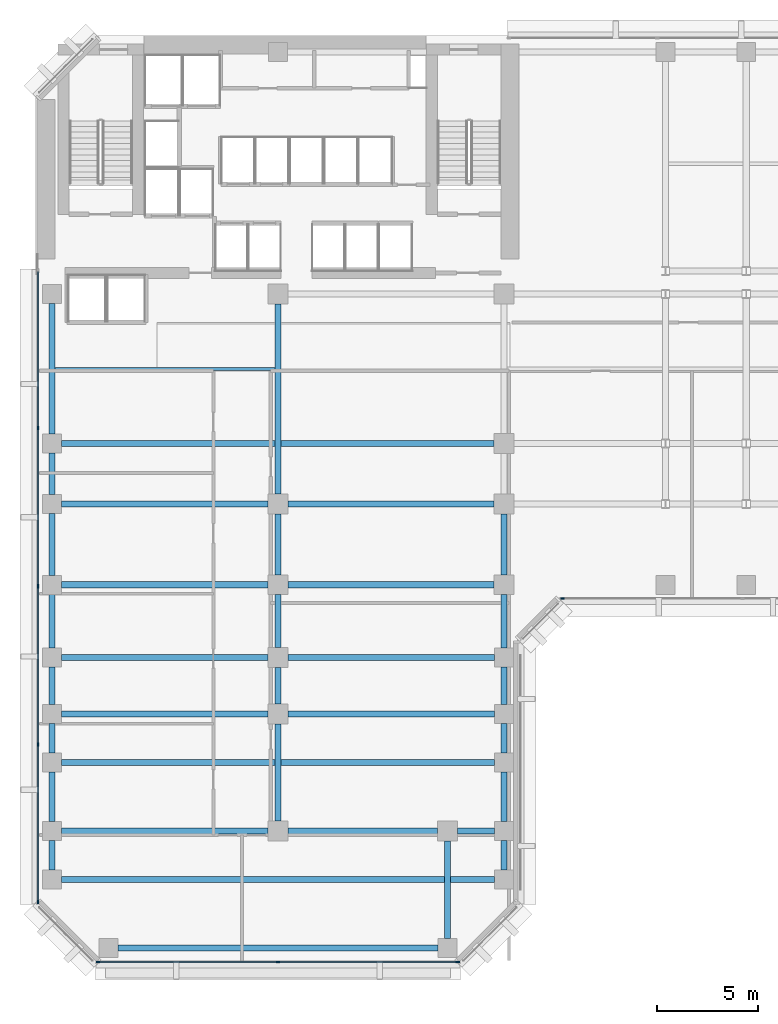
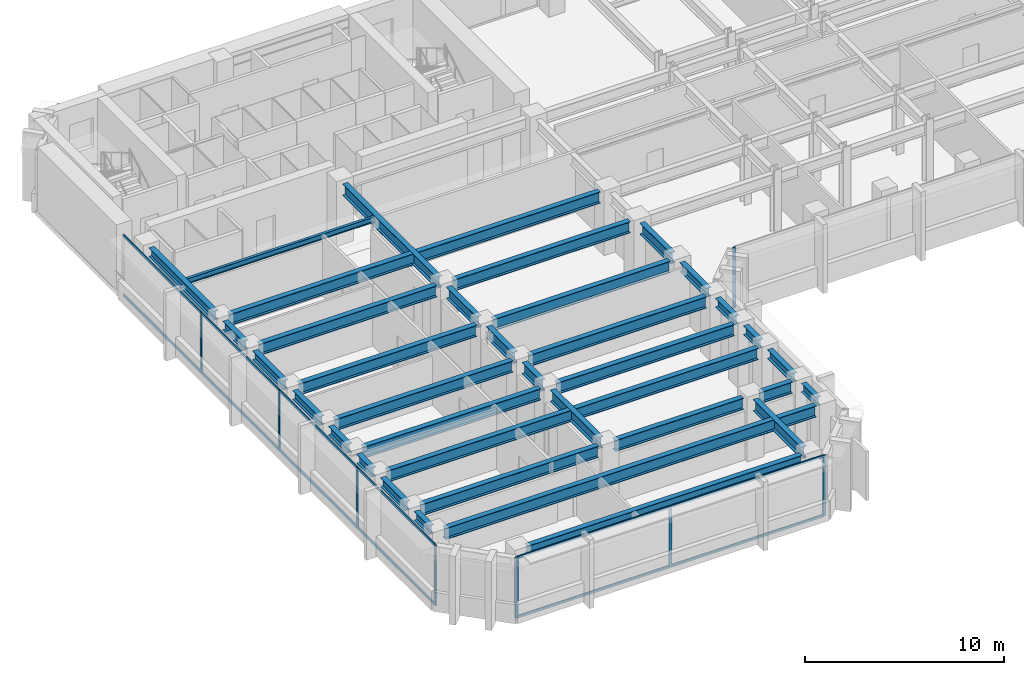
# One storey, part 2 of 13: 36 beams, 20 members, 3 elements without a shape of their own.
"""IFC4 building model written with IfcOpenShell, lengths in metres."""

from ifc_helpers import new_model, si_unit, direction, frame, origin, origin_2d, place, context, subcontext, project, spatial, rectangle, i_section, extrude, material, layer, layer_set, material_profile, profile_set, type_object, element, aggregate, save


model = new_model("IFC4")

# Units and contexts
model_context = context("Model", 3, precision=1e-05, world=origin(), true_north=direction((0.0, 1.0)))
body_context = subcontext(model_context, "Body", "Model", "MODEL_VIEW")
ifc_project = project(units=[si_unit("LENGTHUNIT", "METRE"), si_unit("AREAUNIT", "SQUARE_METRE"), si_unit("VOLUMEUNIT", "CUBIC_METRE"), si_unit("PLANEANGLEUNIT", "RADIAN"), si_unit("MASSUNIT", "GRAM", prefix="KILO")], contexts=[model_context])

# Site, building, storey
site_placement = place(None, origin())
site = spatial("IfcSite", under=ifc_project, at=site_placement, CompositionType="ELEMENT")
building_placement = place(site_placement, origin())
building = spatial("IfcBuilding", under=site, at=building_placement, Name="Kefirva Bronze Tower", CompositionType="ELEMENT")
storey_placement = place(building_placement, frame((0.0, 0.0, 106.590087890625)))
storey = spatial("IfcBuildingStorey", under=building, at=storey_placement, Name="L25", CompositionType="ELEMENT", Elevation=106.590087890625)

# Curtain wall, members
ifc_material_1 = material(Name="Bronze anodised aluminium", Category="aluminium")
ifc_layer = layer(ifc_material_1, 0.199951171875, Name="Bronze anodised aluminium")
ifc_layer_set = layer_set([ifc_layer], Name="Bronze anodised aluminium")
curtain_wall_type = type_object("IfcCurtainWallType", Name="Unitised Bronze Ribbon Curtain Wall Zone 1", PredefinedType="USERDEFINED", material=ifc_layer_set)
curtain_wall_1_placement = place(storey_placement, origin())
curtain_wall_1 = element("IfcCurtainWall", 1, at=curtain_wall_1_placement, inside=storey, type_object=curtain_wall_type, Name="L25 Curtain Wall 1", ObjectType="UNITISED CURTAIN WALL", PredefinedType="USERDEFINED")
ifc_material_profile_1 = material_profile(ifc_material_1, rectangle(XDim=0.074951171875, YDim=0.179931640625, at=origin_2d()), Name="ALU 75x180")
ifc_profile_set_1 = profile_set([ifc_material_profile_1], Name="Bronze anodised aluminium")
member_type_1 = type_object("IfcMemberType", Name="Bronze Mullion 75x180", PredefinedType="MULLION", material=ifc_profile_set_1)
member_1_placement = place(storey_placement, frame((3.092529296875, 0.1201171875, 0.0), z_axis=(0.0, 0.0, 1.0), x_axis=(0.0, 1.0, 0.0)))
member_1 = element("IfcMember", 2, at=member_1_placement, type_object=member_type_1, Name="CW-01 mullion 1", PredefinedType="MULLION", context=body_context, shape_type="SweptSolid", body=[
    extrude(rectangle(XDim=0.074951171875, YDim=0.179931640625, at=origin_2d()), origin(), (0.0, 0.0, 1.0), 3.7099609375),
])
member_2_placement = place(storey_placement, frame((12.0, 0.1201171875, 0.0), z_axis=(0.0, 0.0, 1.0), x_axis=(0.0, 1.0, 0.0)))
member_2 = element("IfcMember", 3, at=member_2_placement, type_object=member_type_1, Name="CW-01 mullion 2", PredefinedType="MULLION", context=body_context, shape_type="SweptSolid", body=[
    extrude(rectangle(XDim=0.074951171875, YDim=0.179931640625, at=origin_2d()), origin(), (0.0, 0.0, 1.0), 3.7099609375),
])
member_3_placement = place(storey_placement, frame((20.907470703125, 0.1201171875, 0.0), z_axis=(0.0, 0.0, 1.0), x_axis=(0.0, 1.0, 0.0)))
member_3 = element("IfcMember", 4, at=member_3_placement, type_object=member_type_1, Name="CW-01 mullion 3", PredefinedType="MULLION", context=body_context, shape_type="SweptSolid", body=[
    extrude(rectangle(XDim=0.074951171875, YDim=0.179931640625, at=origin_2d()), origin(), (0.0, 0.0, 1.0), 3.7099609375),
])

# Curtain wall, member
curtain_wall_2_placement = place(storey_placement, origin())
curtain_wall_2 = element("IfcCurtainWall", 5, at=curtain_wall_2_placement, inside=storey, type_object=curtain_wall_type, Name="L25 Curtain Wall 2", ObjectType="UNITISED CURTAIN WALL", PredefinedType="USERDEFINED")
member_4_placement = place(storey_placement, frame((26.092529296875, 18.1201171875, 0.0), z_axis=(0.0, 0.0, 1.0), x_axis=(0.0, 1.0, 0.0)))
member_4 = element("IfcMember", 6, at=member_4_placement, type_object=member_type_1, Name="CW-01 mullion 1", PredefinedType="MULLION", context=body_context, shape_type="SweptSolid", body=[
    extrude(rectangle(XDim=0.074951171875, YDim=0.179931640625, at=origin_2d()), origin(), (0.0, 0.0, 1.0), 3.7099609375),
])
aggregate(curtain_wall_2, [member_4])

# Curtain wall, members
curtain_wall_3_placement = place(storey_placement, origin())
curtain_wall_3 = element("IfcCurtainWall", 7, at=curtain_wall_3_placement, inside=storey, type_object=curtain_wall_type, Name="L25 Curtain Wall 5", ObjectType="UNITISED CURTAIN WALL", PredefinedType="USERDEFINED")
member_5_placement = place(storey_placement, frame((0.1201171875, 26.56005859375, 0.0), z_axis=(0.0, 0.0, 1.0), x_axis=(1.0, 0.0, 0.0)))
member_5 = element("IfcMember", 8, at=member_5_placement, type_object=member_type_1, Name="CW-01 mullion 2", PredefinedType="MULLION", context=body_context, shape_type="SweptSolid", body=[
    extrude(rectangle(XDim=0.074951171875, YDim=0.179931640625, at=origin_2d()), origin(), (0.0, 0.0, 1.0), 3.7099609375),
])
member_6_placement = place(storey_placement, frame((0.1201171875, 18.72509765625, 0.0), z_axis=(0.0, 0.0, 1.0), x_axis=(1.0, 0.0, 0.0)))
member_6 = element("IfcMember", 9, at=member_6_placement, type_object=member_type_1, Name="CW-01 mullion 3", PredefinedType="MULLION", context=body_context, shape_type="SweptSolid", body=[
    extrude(rectangle(XDim=0.074951171875, YDim=0.179931640625, at=origin_2d()), origin(), (0.0, 0.0, 1.0), 3.7099609375),
])
member_7_placement = place(storey_placement, frame((0.1201171875, 10.889892578125, 0.0), z_axis=(0.0, 0.0, 1.0), x_axis=(1.0, 0.0, 0.0)))
member_7 = element("IfcMember", 10, at=member_7_placement, type_object=member_type_1, Name="CW-01 mullion 4", PredefinedType="MULLION", context=body_context, shape_type="SweptSolid", body=[
    extrude(rectangle(XDim=0.074951171875, YDim=0.179931640625, at=origin_2d()), origin(), (0.0, 0.0, 1.0), 3.7099609375),
])
member_8_placement = place(storey_placement, frame((0.1201171875, 3.092529296875, 0.0), z_axis=(0.0, 0.0, 1.0), x_axis=(1.0, 0.0, 0.0)))
member_8 = element("IfcMember", 11, at=member_8_placement, type_object=member_type_1, Name="CW-01 mullion 5", PredefinedType="MULLION", context=body_context, shape_type="SweptSolid", body=[
    extrude(rectangle(XDim=0.074951171875, YDim=0.179931640625, at=origin_2d()), origin(), (0.0, 0.0, 1.0), 3.7099609375),
])

# Member
ifc_material_profile_2 = material_profile(ifc_material_1, rectangle(XDim=0.074951171875, YDim=0.14990234375, at=origin_2d()), Name="ALU 75x150")
ifc_profile_set_2 = profile_set([ifc_material_profile_2], Name="Bronze anodised aluminium")
member_type_2 = type_object("IfcMemberType", Name="Bronze Transom 75x150", PredefinedType="USERDEFINED", material=ifc_profile_set_2)
member_9_placement = place(storey_placement, frame((3.1298828125, 0.1201171875, 0.037353515625), z_axis=(1.0, 0.0, 0.0), x_axis=(0.0, 1.0, 0.0)))
member_9 = element("IfcMember", 12, at=member_9_placement, type_object=member_type_2, Name="CW-01 transom 1.1", ObjectType="TRANSOM", PredefinedType="USERDEFINED", context=body_context, shape_type="SweptSolid", body=[
    extrude(rectangle(XDim=0.074951171875, YDim=0.14990234375, at=origin_2d()), origin(), (0.0, 0.0, 1.0), 8.83251953125),
])

member_10_placement = place(storey_placement, frame((3.1298828125, 0.1201171875, 3.67236328125), z_axis=(1.0, 0.0, 0.0), x_axis=(0.0, 1.0, 0.0)))
member_10 = element("IfcMember", 13, at=member_10_placement, type_object=member_type_2, Name="CW-01 transom 1.2", ObjectType="TRANSOM", PredefinedType="USERDEFINED", context=body_context, shape_type="SweptSolid", body=[
    extrude(rectangle(XDim=0.074951171875, YDim=0.14990234375, at=origin_2d()), origin(), (0.0, 0.0, 1.0), 8.83251953125),
])

member_11_placement = place(storey_placement, frame((12.03759765625, 0.1201171875, 0.037353515625), z_axis=(1.0, 0.0, 0.0), x_axis=(0.0, 1.0, 0.0)))
member_11 = element("IfcMember", 14, at=member_11_placement, type_object=member_type_2, Name="CW-01 transom 2.1", ObjectType="TRANSOM", PredefinedType="USERDEFINED", context=body_context, shape_type="SweptSolid", body=[
    extrude(rectangle(XDim=0.074951171875, YDim=0.14990234375, at=origin_2d()), origin(), (0.0, 0.0, 1.0), 8.83251953125),
])

member_12_placement = place(storey_placement, frame((12.03759765625, 0.1201171875, 3.67236328125), z_axis=(1.0, 0.0, 0.0), x_axis=(0.0, 1.0, 0.0)))
member_12 = element("IfcMember", 15, at=member_12_placement, type_object=member_type_2, Name="CW-01 transom 2.2", ObjectType="TRANSOM", PredefinedType="USERDEFINED", context=body_context, shape_type="SweptSolid", body=[
    extrude(rectangle(XDim=0.074951171875, YDim=0.14990234375, at=origin_2d()), origin(), (0.0, 0.0, 1.0), 8.83251953125),
])

aggregate(curtain_wall_1, [member_1, member_2, member_3, member_9, member_10, member_11, member_12])

member_13_placement = place(storey_placement, frame((0.1201171875, 34.320068359375, 0.037353515625), z_axis=(0.0, -1.0, 0.0), x_axis=(1.0, 0.0, 0.0)))
member_13 = element("IfcMember", 16, at=member_13_placement, type_object=member_type_2, Name="CW-01 transom 1.1", ObjectType="TRANSOM", PredefinedType="USERDEFINED", context=body_context, shape_type="SweptSolid", body=[
    extrude(rectangle(XDim=0.074951171875, YDim=0.14990234375, at=origin_2d()), origin(), (0.0, 0.0, 1.0), 7.72265625),
])

member_14_placement = place(storey_placement, frame((0.1201171875, 34.320068359375, 3.67236328125), z_axis=(0.0, -1.0, 0.0), x_axis=(1.0, 0.0, 0.0)))
member_14 = element("IfcMember", 17, at=member_14_placement, type_object=member_type_2, Name="CW-01 transom 1.2", ObjectType="TRANSOM", PredefinedType="USERDEFINED", context=body_context, shape_type="SweptSolid", body=[
    extrude(rectangle(XDim=0.074951171875, YDim=0.14990234375, at=origin_2d()), origin(), (0.0, 0.0, 1.0), 7.72265625),
])

member_15_placement = place(storey_placement, frame((0.1201171875, 26.5224609375, 0.037353515625), z_axis=(0.0, -1.0, 0.0), x_axis=(1.0, 0.0, 0.0)))
member_15 = element("IfcMember", 18, at=member_15_placement, type_object=member_type_2, Name="CW-01 transom 2.1", ObjectType="TRANSOM", PredefinedType="USERDEFINED", context=body_context, shape_type="SweptSolid", body=[
    extrude(rectangle(XDim=0.074951171875, YDim=0.14990234375, at=origin_2d()), origin(), (0.0, 0.0, 1.0), 7.760009765625),
])

member_16_placement = place(storey_placement, frame((0.1201171875, 26.5224609375, 3.67236328125), z_axis=(0.0, -1.0, 0.0), x_axis=(1.0, 0.0, 0.0)))
member_16 = element("IfcMember", 19, at=member_16_placement, type_object=member_type_2, Name="CW-01 transom 2.2", ObjectType="TRANSOM", PredefinedType="USERDEFINED", context=body_context, shape_type="SweptSolid", body=[
    extrude(rectangle(XDim=0.074951171875, YDim=0.14990234375, at=origin_2d()), origin(), (0.0, 0.0, 1.0), 7.760009765625),
])

member_17_placement = place(storey_placement, frame((0.1201171875, 18.6875, 0.037353515625), z_axis=(0.0, -1.0, 0.0), x_axis=(1.0, 0.0, 0.0)))
member_17 = element("IfcMember", 20, at=member_17_placement, type_object=member_type_2, Name="CW-01 transom 3.1", ObjectType="TRANSOM", PredefinedType="USERDEFINED", context=body_context, shape_type="SweptSolid", body=[
    extrude(rectangle(XDim=0.074951171875, YDim=0.14990234375, at=origin_2d()), origin(), (0.0, 0.0, 1.0), 7.760009765625),
])

member_18_placement = place(storey_placement, frame((0.1201171875, 18.6875, 3.67236328125), z_axis=(0.0, -1.0, 0.0), x_axis=(1.0, 0.0, 0.0)))
member_18 = element("IfcMember", 21, at=member_18_placement, type_object=member_type_2, Name="CW-01 transom 3.2", ObjectType="TRANSOM", PredefinedType="USERDEFINED", context=body_context, shape_type="SweptSolid", body=[
    extrude(rectangle(XDim=0.074951171875, YDim=0.14990234375, at=origin_2d()), origin(), (0.0, 0.0, 1.0), 7.760009765625),
])

member_19_placement = place(storey_placement, frame((0.1201171875, 10.8525390625, 0.037353515625), z_axis=(0.0, -1.0, 0.0), x_axis=(1.0, 0.0, 0.0)))
member_19 = element("IfcMember", 22, at=member_19_placement, type_object=member_type_2, Name="CW-01 transom 4.1", ObjectType="TRANSOM", PredefinedType="USERDEFINED", context=body_context, shape_type="SweptSolid", body=[
    extrude(rectangle(XDim=0.074951171875, YDim=0.14990234375, at=origin_2d()), origin(), (0.0, 0.0, 1.0), 7.72265625),
])

member_20_placement = place(storey_placement, frame((0.1201171875, 10.8525390625, 3.67236328125), z_axis=(0.0, -1.0, 0.0), x_axis=(1.0, 0.0, 0.0)))
member_20 = element("IfcMember", 23, at=member_20_placement, type_object=member_type_2, Name="CW-01 transom 4.2", ObjectType="TRANSOM", PredefinedType="USERDEFINED", context=body_context, shape_type="SweptSolid", body=[
    extrude(rectangle(XDim=0.074951171875, YDim=0.14990234375, at=origin_2d()), origin(), (0.0, 0.0, 1.0), 7.72265625),
])

aggregate(curtain_wall_3, [member_5, member_6, member_7, member_8, member_13, member_14, member_15, member_16, member_17, member_18, member_19, member_20])

# Beams
ifc_material_2 = material(Name="Steel S355", Category="steel")
ifc_material_profile_3 = material_profile(ifc_material_2, i_section(OverallWidth=0.159912109375, OverallDepth=0.330078125, WebThickness=0.007568359375, FlangeThickness=0.011474609375, at=origin_2d()), Name="IPE 330")
ifc_profile_set_3 = profile_set([ifc_material_profile_3], Name="Steel S355")
beam_type_1 = type_object("IfcBeamType", Name="Steel Floor Joist IPE 330", PredefinedType="JOIST", material=ifc_profile_set_3)
beam_1_placement = place(storey_placement, frame((0.949951171875, 29.489990234375, 3.544921875), z_axis=(1.0, 0.0, 0.0), x_axis=(0.0, 1.0, 0.0)))
element("IfcBeam", 24, at=beam_1_placement, inside=storey, type_object=beam_type_1, Name="L25 JST-L25-0-294", PredefinedType="JOIST", context=body_context, shape_type="SweptSolid", body=[
    extrude(i_section(OverallWidth=0.159912109375, OverallDepth=0.330078125, WebThickness=0.007568359375, FlangeThickness=0.011474609375, at=origin_2d()), origin(), (0.0, 0.0, 1.0), 10.900146484375),
])
ifc_material_profile_4 = material_profile(ifc_material_2, i_section(OverallWidth=0.300048828125, OverallDepth=0.699951171875, WebThickness=0.01708984375, FlangeThickness=0.031982421875, at=origin_2d()), Name="HEB 700")
ifc_profile_set_4 = profile_set([ifc_material_profile_4], Name="Steel S355")
beam_type_2 = type_object("IfcBeamType", Name="Steel Girder HEB 700", PredefinedType="USERDEFINED", material=ifc_profile_set_4)
beam_2_placement = place(storey_placement, frame((1.27001953125, 4.199951171875, 3.35986328125), z_axis=(1.0, 0.0, 0.0), x_axis=(0.0, 1.0, 0.0)))
element("IfcBeam", 25, at=beam_2_placement, inside=storey, type_object=beam_type_2, Name="L25 BM-L25-EW-0-42", ObjectType="GIRDER", PredefinedType="USERDEFINED", context=body_context, shape_type="SweptSolid", body=[
    extrude(i_section(OverallWidth=0.300048828125, OverallDepth=0.699951171875, WebThickness=0.01708984375, FlangeThickness=0.031982421875, at=origin_2d()), origin(), (0.0, 0.0, 1.0), 21.4599609375),
])
beam_3_placement = place(storey_placement, frame((1.27001953125, 6.60009765625, 3.35986328125), z_axis=(1.0, 0.0, 0.0), x_axis=(0.0, 1.0, 0.0)))
element("IfcBeam", 26, at=beam_3_placement, inside=storey, type_object=beam_type_2, Name="L25 BM-L25-EW-0-66", ObjectType="GIRDER", PredefinedType="USERDEFINED", context=body_context, shape_type="SweptSolid", body=[
    extrude(i_section(OverallWidth=0.300048828125, OverallDepth=0.699951171875, WebThickness=0.01708984375, FlangeThickness=0.031982421875, at=origin_2d()), origin(), (0.0, 0.0, 1.0), 10.239990234375),
])
beam_4_placement = place(storey_placement, frame((12.489990234375, 6.60009765625, 3.35986328125), z_axis=(1.0, 0.0, 0.0), x_axis=(0.0, 1.0, 0.0)))
element("IfcBeam", 27, at=beam_4_placement, inside=storey, type_object=beam_type_2, Name="L25 BM-L25-EW-12-66", ObjectType="GIRDER", PredefinedType="USERDEFINED", context=body_context, shape_type="SweptSolid", body=[
    extrude(i_section(OverallWidth=0.300048828125, OverallDepth=0.699951171875, WebThickness=0.01708984375, FlangeThickness=0.031982421875, at=origin_2d()), origin(), (0.0, 0.0, 1.0), 7.419921875),
])
beam_5_placement = place(storey_placement, frame((20.889892578125, 6.60009765625, 3.35986328125), z_axis=(1.0, 0.0, 0.0), x_axis=(0.0, 1.0, 0.0)))
element("IfcBeam", 28, at=beam_5_placement, inside=storey, type_object=beam_type_2, Name="L25 BM-L25-EW-20-66", ObjectType="GIRDER", PredefinedType="USERDEFINED", context=body_context, shape_type="SweptSolid", body=[
    extrude(i_section(OverallWidth=0.300048828125, OverallDepth=0.699951171875, WebThickness=0.01708984375, FlangeThickness=0.031982421875, at=origin_2d()), origin(), (0.0, 0.0, 1.0), 1.840087890625),
])
beam_6_placement = place(storey_placement, frame((1.27001953125, 10.0, 3.35986328125), z_axis=(1.0, 0.0, 0.0), x_axis=(0.0, 1.0, 0.0)))
element("IfcBeam", 29, at=beam_6_placement, inside=storey, type_object=beam_type_2, Name="L25 BM-L25-EW-0-100", ObjectType="GIRDER", PredefinedType="USERDEFINED", context=body_context, shape_type="SweptSolid", body=[
    extrude(i_section(OverallWidth=0.300048828125, OverallDepth=0.699951171875, WebThickness=0.01708984375, FlangeThickness=0.031982421875, at=origin_2d()), origin(), (0.0, 0.0, 1.0), 21.4599609375),
])
for number, where, z_axis, x_axis, name in (
    (30, (1.27001953125, 12.39990234375, 3.35986328125), (1.0, 0.0, 0.0), (0.0, 1.0, 0.0), "L25 BM-L25-EW-0-124"),
    (31, (12.489990234375, 12.39990234375, 3.35986328125), (1.0, 0.0, 0.0), (0.0, 1.0, 0.0), "L25 BM-L25-EW-12-124"),
    (32, (1.27001953125, 15.199951171875, 3.35986328125), (1.0, 0.0, 0.0), (0.0, 1.0, 0.0), "L25 BM-L25-EW-0-152"),
    (33, (12.489990234375, 15.199951171875, 3.35986328125), (1.0, 0.0, 0.0), (0.0, 1.0, 0.0), "L25 BM-L25-EW-12-152"),
    (34, (1.27001953125, 18.800048828125, 3.35986328125), (1.0, 0.0, 0.0), (0.0, 1.0, 0.0), "L25 BM-L25-EW-0-188"),
):
    element("IfcBeam", number, at=place(storey_placement, frame(where, z_axis=z_axis, x_axis=x_axis)), inside=storey, type_object=beam_type_2, Name=name, ObjectType="GIRDER", PredefinedType="USERDEFINED", context=body_context, shape_type="SweptSolid", body=[
        extrude(i_section(OverallWidth=0.300048828125, OverallDepth=0.699951171875, WebThickness=0.01708984375, FlangeThickness=0.031982421875, at=origin_2d()), origin(), (0.0, 0.0, 1.0), 10.239990234375),
    ])
beam_7_placement = place(storey_placement, frame((12.489990234375, 18.800048828125, 3.35986328125), z_axis=(1.0, 0.0, 0.0), x_axis=(0.0, 1.0, 0.0)))
element("IfcBeam", 35, at=beam_7_placement, inside=storey, type_object=beam_type_2, Name="L25 BM-L25-EW-12-188", ObjectType="GIRDER", PredefinedType="USERDEFINED", context=body_context, shape_type="SweptSolid", body=[
    extrude(i_section(OverallWidth=0.300048828125, OverallDepth=0.699951171875, WebThickness=0.01708984375, FlangeThickness=0.031982421875, at=origin_2d()), origin(), (0.0, 0.0, 1.0), 10.219970703125),
])
beam_8_placement = place(storey_placement, frame((1.27001953125, 22.800048828125, 3.35986328125), z_axis=(1.0, 0.0, 0.0), x_axis=(0.0, 1.0, 0.0)))
element("IfcBeam", 36, at=beam_8_placement, inside=storey, type_object=beam_type_2, Name="L25 BM-L25-EW-0-228", ObjectType="GIRDER", PredefinedType="USERDEFINED", context=body_context, shape_type="SweptSolid", body=[
    extrude(i_section(OverallWidth=0.300048828125, OverallDepth=0.699951171875, WebThickness=0.01708984375, FlangeThickness=0.031982421875, at=origin_2d()), origin(), (0.0, 0.0, 1.0), 10.239990234375),
])
beam_9_placement = place(storey_placement, frame((12.489990234375, 22.800048828125, 3.35986328125), z_axis=(1.0, 0.0, 0.0), x_axis=(0.0, 1.0, 0.0)))
element("IfcBeam", 37, at=beam_9_placement, inside=storey, type_object=beam_type_2, Name="L25 BM-L25-EW-12-228", ObjectType="GIRDER", PredefinedType="USERDEFINED", context=body_context, shape_type="SweptSolid", body=[
    extrude(i_section(OverallWidth=0.300048828125, OverallDepth=0.699951171875, WebThickness=0.01708984375, FlangeThickness=0.031982421875, at=origin_2d()), origin(), (0.0, 0.0, 1.0), 10.219970703125),
])
beam_10_placement = place(storey_placement, frame((1.27001953125, 25.800048828125, 3.35986328125), z_axis=(1.0, 0.0, 0.0), x_axis=(0.0, 1.0, 0.0)))
element("IfcBeam", 38, at=beam_10_placement, inside=storey, type_object=beam_type_2, Name="L25 BM-L25-EW-0-258", ObjectType="GIRDER", PredefinedType="USERDEFINED", context=body_context, shape_type="SweptSolid", body=[
    extrude(i_section(OverallWidth=0.300048828125, OverallDepth=0.699951171875, WebThickness=0.01708984375, FlangeThickness=0.031982421875, at=origin_2d()), origin(), (0.0, 0.0, 1.0), 21.43994140625),
])
beam_11_placement = place(storey_placement, frame((12.0, 7.090087890625, 3.35986328125), z_axis=(0.0, 1.0, 0.0), x_axis=(-1.0, 0.0, 0.0)))
element("IfcBeam", 39, at=beam_11_placement, inside=storey, type_object=beam_type_2, Name="L25 BM-L25-NS-120-6", ObjectType="GIRDER", PredefinedType="USERDEFINED", context=body_context, shape_type="SweptSolid", body=[
    extrude(i_section(OverallWidth=0.300048828125, OverallDepth=0.699951171875, WebThickness=0.01708984375, FlangeThickness=0.031982421875, at=origin_2d()), origin(), (0.0, 0.0, 1.0), 4.81982421875),
])
beam_12_placement = place(storey_placement, frame((12.0, 12.889892578125, 3.35986328125), z_axis=(0.0, 1.0, 0.0), x_axis=(-1.0, 0.0, 0.0)))
element("IfcBeam", 40, at=beam_12_placement, inside=storey, type_object=beam_type_2, Name="L25 BM-L25-NS-120-12", ObjectType="GIRDER", PredefinedType="USERDEFINED", context=body_context, shape_type="SweptSolid", body=[
    extrude(i_section(OverallWidth=0.300048828125, OverallDepth=0.699951171875, WebThickness=0.01708984375, FlangeThickness=0.031982421875, at=origin_2d()), origin(), (0.0, 0.0, 1.0), 1.820068359375),
])
beam_13_placement = place(storey_placement, frame((12.0, 15.68994140625, 3.35986328125), z_axis=(0.0, 1.0, 0.0), x_axis=(-1.0, 0.0, 0.0)))
element("IfcBeam", 41, at=beam_13_placement, inside=storey, type_object=beam_type_2, Name="L25 BM-L25-NS-120-15", ObjectType="GIRDER", PredefinedType="USERDEFINED", context=body_context, shape_type="SweptSolid", body=[
    extrude(i_section(OverallWidth=0.300048828125, OverallDepth=0.699951171875, WebThickness=0.01708984375, FlangeThickness=0.031982421875, at=origin_2d()), origin(), (0.0, 0.0, 1.0), 2.6201171875),
])
beam_14_placement = place(storey_placement, frame((12.0, 19.2900390625, 3.35986328125), z_axis=(0.0, 1.0, 0.0), x_axis=(-1.0, 0.0, 0.0)))
element("IfcBeam", 42, at=beam_14_placement, inside=storey, type_object=beam_type_2, Name="L25 BM-L25-NS-120-18", ObjectType="GIRDER", PredefinedType="USERDEFINED", context=body_context, shape_type="SweptSolid", body=[
    extrude(i_section(OverallWidth=0.300048828125, OverallDepth=0.699951171875, WebThickness=0.01708984375, FlangeThickness=0.031982421875, at=origin_2d()), origin(), (0.0, 0.0, 1.0), 3.02001953125),
])
beam_15_placement = place(storey_placement, frame((12.0, 23.2900390625, 3.35986328125), z_axis=(0.0, 1.0, 0.0), x_axis=(-1.0, 0.0, 0.0)))
element("IfcBeam", 43, at=beam_15_placement, inside=storey, type_object=beam_type_2, Name="L25 BM-L25-NS-120-22", ObjectType="GIRDER", PredefinedType="USERDEFINED", context=body_context, shape_type="SweptSolid", body=[
    extrude(i_section(OverallWidth=0.300048828125, OverallDepth=0.699951171875, WebThickness=0.01708984375, FlangeThickness=0.031982421875, at=origin_2d()), origin(), (0.0, 0.0, 1.0), 9.419921875),
])
beam_16_placement = place(storey_placement, frame((20.39990234375, 1.27001953125, 3.35986328125), z_axis=(0.0, 1.0, 0.0), x_axis=(-1.0, 0.0, 0.0)))
element("IfcBeam", 44, at=beam_16_placement, inside=storey, type_object=beam_type_2, Name="L25 BM-L25-NS-204-0", ObjectType="GIRDER", PredefinedType="USERDEFINED", context=body_context, shape_type="SweptSolid", body=[
    extrude(i_section(OverallWidth=0.300048828125, OverallDepth=0.699951171875, WebThickness=0.01708984375, FlangeThickness=0.031982421875, at=origin_2d()), origin(), (0.0, 0.0, 1.0), 4.840087890625),
])
beam_17_placement = place(storey_placement, frame((23.199951171875, 19.2900390625, 3.35986328125), z_axis=(0.0, 1.0, 0.0), x_axis=(-1.0, 0.0, 0.0)))
element("IfcBeam", 45, at=beam_17_placement, inside=storey, type_object=beam_type_2, Name="L25 BM-L25-NS-232-18", ObjectType="GIRDER", PredefinedType="USERDEFINED", context=body_context, shape_type="SweptSolid", body=[
    extrude(i_section(OverallWidth=0.300048828125, OverallDepth=0.699951171875, WebThickness=0.01708984375, FlangeThickness=0.031982421875, at=origin_2d()), origin(), (0.0, 0.0, 1.0), 3.02001953125),
])
ifc_material_profile_5 = material_profile(ifc_material_2, i_section(OverallWidth=0.300048828125, OverallDepth=0.550048828125, WebThickness=0.014892578125, FlangeThickness=0.029052734375, at=origin_2d()), Name="HEB 550")
ifc_profile_set_5 = profile_set([ifc_material_profile_5], Name="Steel S355")
beam_type_3 = type_object("IfcBeamType", Name="Steel Spandrel HEB 550 Ext", PredefinedType="SPANDREL", material=ifc_profile_set_5)
beam_18_placement = place(storey_placement, frame((4.070068359375, 0.800048828125, 3.434814453125), z_axis=(1.0, 0.0, 0.0), x_axis=(0.0, 1.0, 0.0)))
element("IfcBeam", 46, at=beam_18_placement, inside=storey, type_object=beam_type_3, Name="L25 BM-L25-EW-3-8", PredefinedType="SPANDREL", context=body_context, shape_type="SweptSolid", body=[
    extrude(i_section(OverallWidth=0.300048828125, OverallDepth=0.550048828125, WebThickness=0.014892578125, FlangeThickness=0.029052734375, at=origin_2d()), origin(), (0.0, 0.0, 1.0), 15.85986328125),
])
beam_19_placement = place(storey_placement, frame((0.800048828125, 4.669921875, 3.434814453125), z_axis=(0.0, 1.0, 0.0), x_axis=(-1.0, 0.0, 0.0)))
element("IfcBeam", 47, at=beam_19_placement, inside=storey, type_object=beam_type_3, Name="L25 BM-L25-NS-8-4", PredefinedType="SPANDREL", context=body_context, shape_type="SweptSolid", body=[
    extrude(i_section(OverallWidth=0.300048828125, OverallDepth=0.550048828125, WebThickness=0.014892578125, FlangeThickness=0.029052734375, at=origin_2d()), origin(), (0.0, 0.0, 1.0), 1.4599609375),
])
beam_20_placement = place(storey_placement, frame((0.800048828125, 7.070068359375, 3.434814453125), z_axis=(0.0, 1.0, 0.0), x_axis=(-1.0, 0.0, 0.0)))
element("IfcBeam", 48, at=beam_20_placement, inside=storey, type_object=beam_type_3, Name="L25 BM-L25-NS-8-6", PredefinedType="SPANDREL", context=body_context, shape_type="SweptSolid", body=[
    extrude(i_section(OverallWidth=0.300048828125, OverallDepth=0.550048828125, WebThickness=0.014892578125, FlangeThickness=0.029052734375, at=origin_2d()), origin(), (0.0, 0.0, 1.0), 2.4599609375),
])
beam_21_placement = place(storey_placement, frame((0.800048828125, 10.469970703125, 3.434814453125), z_axis=(0.0, 1.0, 0.0), x_axis=(-1.0, 0.0, 0.0)))
element("IfcBeam", 49, at=beam_21_placement, inside=storey, type_object=beam_type_3, Name="L25 BM-L25-NS-8-10", PredefinedType="SPANDREL", context=body_context, shape_type="SweptSolid", body=[
    extrude(i_section(OverallWidth=0.300048828125, OverallDepth=0.550048828125, WebThickness=0.014892578125, FlangeThickness=0.029052734375, at=origin_2d()), origin(), (0.0, 0.0, 1.0), 1.4599609375),
])
beam_22_placement = place(storey_placement, frame((0.800048828125, 12.8701171875, 3.434814453125), z_axis=(0.0, 1.0, 0.0), x_axis=(-1.0, 0.0, 0.0)))
element("IfcBeam", 50, at=beam_22_placement, inside=storey, type_object=beam_type_3, Name="L25 BM-L25-NS-8-12", PredefinedType="SPANDREL", context=body_context, shape_type="SweptSolid", body=[
    extrude(i_section(OverallWidth=0.300048828125, OverallDepth=0.550048828125, WebThickness=0.014892578125, FlangeThickness=0.029052734375, at=origin_2d()), origin(), (0.0, 0.0, 1.0), 1.85986328125),
])
beam_23_placement = place(storey_placement, frame((0.800048828125, 15.669921875, 3.434814453125), z_axis=(0.0, 1.0, 0.0), x_axis=(-1.0, 0.0, 0.0)))
element("IfcBeam", 51, at=beam_23_placement, inside=storey, type_object=beam_type_3, Name="L25 BM-L25-NS-8-15", PredefinedType="SPANDREL", context=body_context, shape_type="SweptSolid", body=[
    extrude(i_section(OverallWidth=0.300048828125, OverallDepth=0.550048828125, WebThickness=0.014892578125, FlangeThickness=0.029052734375, at=origin_2d()), origin(), (0.0, 0.0, 1.0), 2.66015625),
])
beam_24_placement = place(storey_placement, frame((0.800048828125, 19.27001953125, 3.434814453125), z_axis=(0.0, 1.0, 0.0), x_axis=(-1.0, 0.0, 0.0)))
element("IfcBeam", 52, at=beam_24_placement, inside=storey, type_object=beam_type_3, Name="L25 BM-L25-NS-8-18", PredefinedType="SPANDREL", context=body_context, shape_type="SweptSolid", body=[
    extrude(i_section(OverallWidth=0.300048828125, OverallDepth=0.550048828125, WebThickness=0.014892578125, FlangeThickness=0.029052734375, at=origin_2d()), origin(), (0.0, 0.0, 1.0), 3.06005859375),
])
beam_25_placement = place(storey_placement, frame((0.800048828125, 23.27001953125, 3.434814453125), z_axis=(0.0, 1.0, 0.0), x_axis=(-1.0, 0.0, 0.0)))
element("IfcBeam", 53, at=beam_25_placement, inside=storey, type_object=beam_type_3, Name="L25 BM-L25-NS-8-22", PredefinedType="SPANDREL", context=body_context, shape_type="SweptSolid", body=[
    extrude(i_section(OverallWidth=0.300048828125, OverallDepth=0.550048828125, WebThickness=0.014892578125, FlangeThickness=0.029052734375, at=origin_2d()), origin(), (0.0, 0.0, 1.0), 2.06005859375),
])
beam_26_placement = place(storey_placement, frame((0.800048828125, 26.27001953125, 3.434814453125), z_axis=(0.0, 1.0, 0.0), x_axis=(-1.0, 0.0, 0.0)))
element("IfcBeam", 54, at=beam_26_placement, inside=storey, type_object=beam_type_3, Name="L25 BM-L25-NS-8-25", PredefinedType="SPANDREL", context=body_context, shape_type="SweptSolid", body=[
    extrude(i_section(OverallWidth=0.300048828125, OverallDepth=0.550048828125, WebThickness=0.014892578125, FlangeThickness=0.029052734375, at=origin_2d()), origin(), (0.0, 0.0, 1.0), 6.4599609375),
])
beam_27_placement = place(storey_placement, frame((23.199951171875, 4.669921875, 3.434814453125), z_axis=(0.0, 1.0, 0.0), x_axis=(-1.0, 0.0, 0.0)))
element("IfcBeam", 55, at=beam_27_placement, inside=storey, type_object=beam_type_3, Name="L25 BM-L25-NS-232-4", PredefinedType="SPANDREL", context=body_context, shape_type="SweptSolid", body=[
    extrude(i_section(OverallWidth=0.300048828125, OverallDepth=0.550048828125, WebThickness=0.014892578125, FlangeThickness=0.029052734375, at=origin_2d()), origin(), (0.0, 0.0, 1.0), 1.4599609375),
])
beam_28_placement = place(storey_placement, frame((23.199951171875, 7.070068359375, 3.434814453125), z_axis=(0.0, 1.0, 0.0), x_axis=(-1.0, 0.0, 0.0)))
element("IfcBeam", 56, at=beam_28_placement, inside=storey, type_object=beam_type_3, Name="L25 BM-L25-NS-232-6", PredefinedType="SPANDREL", context=body_context, shape_type="SweptSolid", body=[
    extrude(i_section(OverallWidth=0.300048828125, OverallDepth=0.550048828125, WebThickness=0.014892578125, FlangeThickness=0.029052734375, at=origin_2d()), origin(), (0.0, 0.0, 1.0), 2.4599609375),
])
beam_29_placement = place(storey_placement, frame((23.199951171875, 10.469970703125, 3.434814453125), z_axis=(0.0, 1.0, 0.0), x_axis=(-1.0, 0.0, 0.0)))
element("IfcBeam", 57, at=beam_29_placement, inside=storey, type_object=beam_type_3, Name="L25 BM-L25-NS-232-10", PredefinedType="SPANDREL", context=body_context, shape_type="SweptSolid", body=[
    extrude(i_section(OverallWidth=0.300048828125, OverallDepth=0.550048828125, WebThickness=0.014892578125, FlangeThickness=0.029052734375, at=origin_2d()), origin(), (0.0, 0.0, 1.0), 1.4599609375),
])
beam_30_placement = place(storey_placement, frame((23.199951171875, 12.8701171875, 3.434814453125), z_axis=(0.0, 1.0, 0.0), x_axis=(-1.0, 0.0, 0.0)))
element("IfcBeam", 58, at=beam_30_placement, inside=storey, type_object=beam_type_3, Name="L25 BM-L25-NS-232-12", PredefinedType="SPANDREL", context=body_context, shape_type="SweptSolid", body=[
    extrude(i_section(OverallWidth=0.300048828125, OverallDepth=0.550048828125, WebThickness=0.014892578125, FlangeThickness=0.029052734375, at=origin_2d()), origin(), (0.0, 0.0, 1.0), 1.85986328125),
])
beam_31_placement = place(storey_placement, frame((23.199951171875, 15.669921875, 3.434814453125), z_axis=(0.0, 1.0, 0.0), x_axis=(-1.0, 0.0, 0.0)))
element("IfcBeam", 59, at=beam_31_placement, inside=storey, type_object=beam_type_3, Name="L25 BM-L25-NS-232-15", PredefinedType="SPANDREL", context=body_context, shape_type="SweptSolid", body=[
    extrude(i_section(OverallWidth=0.300048828125, OverallDepth=0.550048828125, WebThickness=0.014892578125, FlangeThickness=0.029052734375, at=origin_2d()), origin(), (0.0, 0.0, 1.0), 2.64013671875),
])

save(model, "model.ifc")
